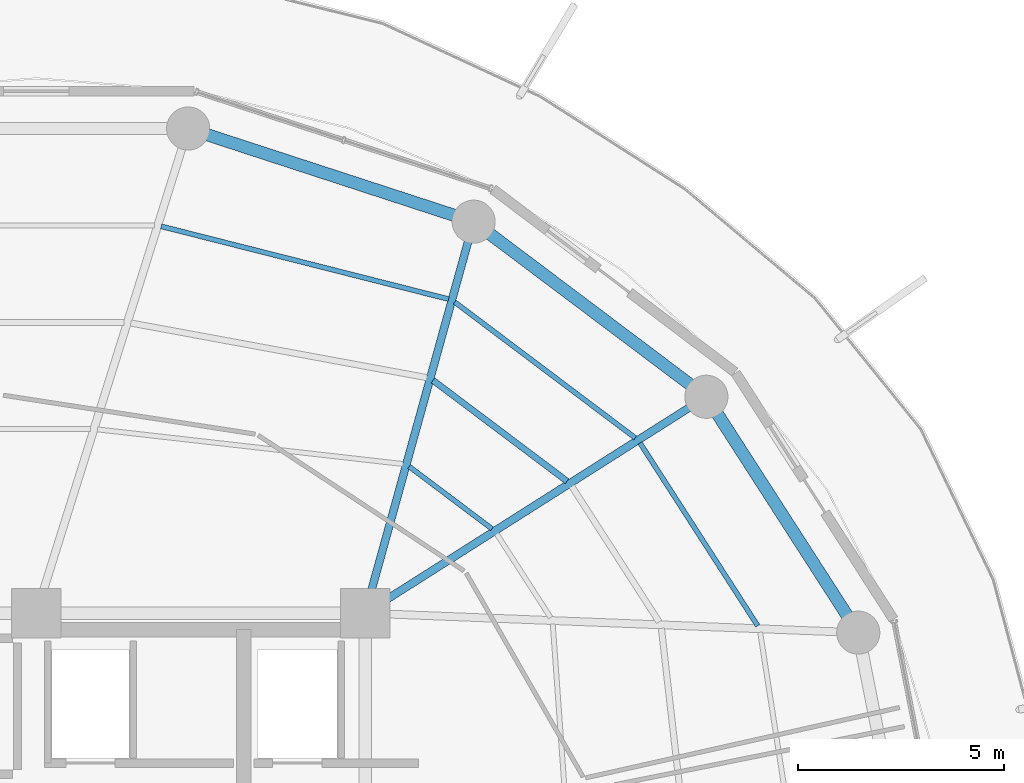
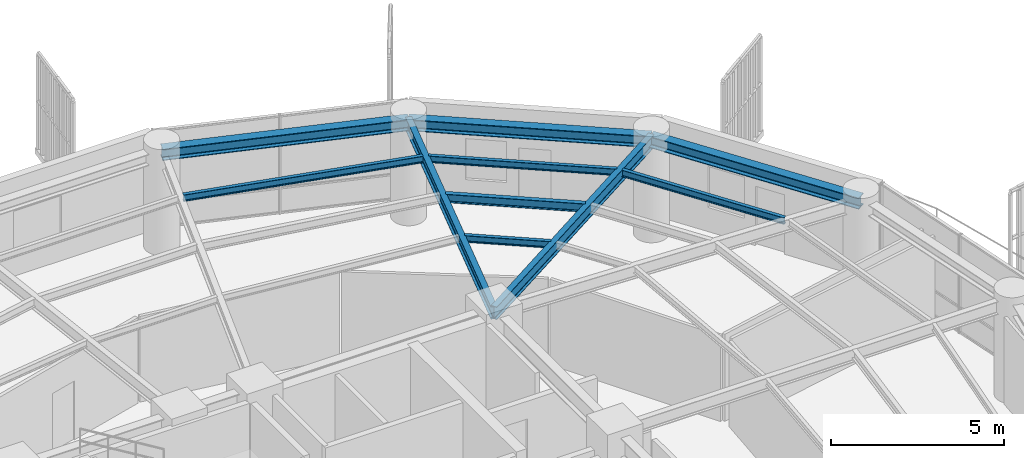
# One storey, part 20 of 30: 10 beams.
"""IFC4 building model written with IfcOpenShell, lengths in metres."""

from ifc_helpers import new_model, si_unit, direction, frame, origin, origin_2d, place, context, subcontext, project, spatial, i_section, extrude, material, material_profile, profile_set, type_object, element, save


model = new_model("IFC4")

# Units and contexts
model_context = context("Model", 3, precision=1e-05, world=origin(), true_north=direction((0.0, 1.0)))
body_context = subcontext(model_context, "Body", "Model", "MODEL_VIEW")
ifc_project = project(units=[si_unit("LENGTHUNIT", "METRE"), si_unit("AREAUNIT", "SQUARE_METRE"), si_unit("VOLUMEUNIT", "CUBIC_METRE"), si_unit("PLANEANGLEUNIT", "RADIAN"), si_unit("MASSUNIT", "GRAM", prefix="KILO")], contexts=[model_context])

# Site, building, storey
site_placement = place(None, origin())
site = spatial("IfcSite", under=ifc_project, at=site_placement, CompositionType="ELEMENT")
building_placement = place(site_placement, origin())
building = spatial("IfcBuilding", under=site, at=building_placement, Name="Kelanora Arch Commons", CompositionType="ELEMENT")
storey_placement = place(building_placement, frame((0.0, 0.0, 204.449951171875)))
storey = spatial("IfcBuildingStorey", under=building, at=storey_placement, Name="L52", CompositionType="ELEMENT", Elevation=204.449951171875)

# Beams
ifc_material = material(Name="Steel S355", Category="steel")
ifc_material_profile_1 = material_profile(ifc_material, i_section(OverallWidth=0.14990234375, OverallDepth=0.300048828125, WebThickness=0.007080078125, FlangeThickness=0.0107421875, FilletRadius=0.014892578125, at=origin_2d()), Name="IPE300")
ifc_profile_set_1 = profile_set([ifc_material_profile_1], Name="Steel S355")
beam_type_1 = type_object("IfcBeamType", Name="BM-JST-01", PredefinedType="JOIST", material=ifc_profile_set_1)
beam_1_placement = place(storey_placement, frame((86.912841796875, 68.209716796875, 3.340087890625), z_axis=(-0.799101708656, 0.601195857624, 0.0), x_axis=(-0.601195857624, -0.799101708656, 0.0)))
element("IfcBeam", 1, at=beam_1_placement, inside=storey, type_object=beam_type_1, Name="Secondary Chord Joist BJB-04 L52", PredefinedType="JOIST", context=body_context, shape_type="SweptSolid", body=[
    extrude(i_section(OverallWidth=0.14990234375, OverallDepth=0.300048828125, WebThickness=0.007080078125, FlangeThickness=0.0107421875, FilletRadius=0.014892578125, at=origin_2d()), origin(), (0.0, 0.0, 1.0), 4.080810546875),
])
ifc_material_profile_2 = material_profile(ifc_material, i_section(OverallWidth=0.1201171875, OverallDepth=0.239990234375, WebThickness=0.006103515625, FlangeThickness=0.009765625, FilletRadius=0.014892578125, at=origin_2d()), Name="IPE240")
ifc_profile_set_2 = profile_set([ifc_material_profile_2], Name="Steel S355")
beam_type_2 = type_object("IfcBeamType", Name="BM-JST-02", PredefinedType="JOIST", material=ifc_profile_set_2)
beam_2_placement = place(storey_placement, frame((91.55126953125, 64.69189453125, 3.3701171875), z_axis=(-0.541382492679, 0.840776424872, 0.0), x_axis=(-0.840776424872, -0.541382492679, 0.0)))
element("IfcBeam", 2, at=beam_2_placement, inside=storey, type_object=beam_type_2, Name="Secondary Chord Joist BJC-02 L52", PredefinedType="JOIST", context=body_context, shape_type="SweptSolid", body=[
    extrude(i_section(OverallWidth=0.1201171875, OverallDepth=0.239990234375, WebThickness=0.006103515625, FlangeThickness=0.009765625, FilletRadius=0.014892578125, at=origin_2d()), origin(), (0.0, 0.0, 1.0), 5.29052734375),
])
beam_3_placement = place(storey_placement, frame((85.086669921875, 67.051513671875, 3.3701171875), z_axis=(-0.79911638933, 0.601176343766, 0.0), x_axis=(-0.601176343766, -0.79911638933, 0.0)))
element("IfcBeam", 3, at=beam_3_placement, inside=storey, type_object=beam_type_2, Name="Secondary Chord Joist BJA-04 L52", PredefinedType="JOIST", context=body_context, shape_type="SweptSolid", body=[
    extrude(i_section(OverallWidth=0.1201171875, OverallDepth=0.239990234375, WebThickness=0.006103515625, FlangeThickness=0.009765625, FilletRadius=0.014892578125, at=origin_2d()), origin(), (0.0, 0.0, 1.0), 2.522216796875),
])
beam_4_placement = place(storey_placement, frame((88.5732421875, 69.2626953125, 3.3701171875), z_axis=(-0.799109197935, 0.601185902842, 0.0), x_axis=(-0.601185902842, -0.799109197935, 0.0)))
element("IfcBeam", 4, at=beam_4_placement, inside=storey, type_object=beam_type_2, Name="Secondary Chord Joist BJC-04 L52", PredefinedType="JOIST", context=body_context, shape_type="SweptSolid", body=[
    extrude(i_section(OverallWidth=0.1201171875, OverallDepth=0.239990234375, WebThickness=0.006103515625, FlangeThickness=0.009765625, FilletRadius=0.014892578125, at=origin_2d()), origin(), (0.0, 0.0, 1.0), 5.497802734375),
])
beam_5_placement = place(storey_placement, frame((84.029541015625, 72.639892578125, 3.3701171875), z_axis=(-0.969370989998, 0.245601066263, 0.0), x_axis=(-0.245601066263, -0.969370989998, 0.0)))
element("IfcBeam", 5, at=beam_5_placement, inside=storey, type_object=beam_type_2, Name="Secondary Chord Joist BJC-06 L52", PredefinedType="JOIST", context=body_context, shape_type="SweptSolid", body=[
    extrude(i_section(OverallWidth=0.1201171875, OverallDepth=0.239990234375, WebThickness=0.006103515625, FlangeThickness=0.009765625, FilletRadius=0.014892578125, at=origin_2d()), origin(), (0.0, 0.0, 1.0), 7.2119140625),
])
ifc_material_profile_3 = material_profile(ifc_material, i_section(OverallWidth=0.18994140625, OverallDepth=0.449951171875, WebThickness=0.009521484375, FlangeThickness=0.0146484375, FilletRadius=0.02099609375, at=origin_2d()), Name="IPE450")
ifc_profile_set_3 = profile_set([ifc_material_profile_3], Name="Steel S355")
beam_type_3 = type_object("IfcBeamType", Name="BM-RAD-Z4", PredefinedType="BEAM", material=ifc_profile_set_3)
beam_6_placement = place(storey_placement, frame((82.0, 65.0, 3.26513671875), z_axis=(0.844507208607, 0.535544185489, 0.0), x_axis=(-0.535544185489, 0.844507208607, 0.0)))
element("IfcBeam", 6, at=beam_6_placement, inside=storey, type_object=beam_type_3, Name="Radial Floor Girder BR-04 L52", PredefinedType="BEAM", context=body_context, shape_type="SweptSolid", body=[
    extrude(i_section(OverallWidth=0.18994140625, OverallDepth=0.449951171875, WebThickness=0.009521484375, FlangeThickness=0.0146484375, FilletRadius=0.02099609375, at=origin_2d()), origin(), (0.0, 0.0, 1.0), 9.830078125),
])
beam_7_placement = place(storey_placement, frame((82.0, 65.0, 3.26513671875), z_axis=(0.267120164296, 0.963663228429, 0.0), x_axis=(-0.963663228429, 0.267120164296, 0.0)))
element("IfcBeam", 7, at=beam_7_placement, inside=storey, type_object=beam_type_3, Name="Radial Floor Girder BR-06 L52", PredefinedType="BEAM", context=body_context, shape_type="SweptSolid", body=[
    extrude(i_section(OverallWidth=0.18994140625, OverallDepth=0.449951171875, WebThickness=0.009521484375, FlangeThickness=0.0146484375, FilletRadius=0.02099609375, at=origin_2d()), origin(), (0.0, 0.0, 1.0), 9.8828125),
])
ifc_material_profile_4 = material_profile(ifc_material, i_section(OverallWidth=0.300048828125, OverallDepth=0.39990234375, WebThickness=0.013427734375, FlangeThickness=0.02392578125, FilletRadius=0.027099609375, at=origin_2d()), Name="HEB400")
ifc_profile_set_4 = profile_set([ifc_material_profile_4], Name="Steel S355")
beam_type_4 = type_object("IfcBeamType", Name="BM-SPN-Z4", PredefinedType="SPANDREL", material=ifc_profile_set_4)
beam_8_placement = place(storey_placement, frame((93.99658203125, 64.525634765625, 3.2900390625), z_axis=(-0.541364878868, 0.840787766281, 0.0), x_axis=(-0.840787766281, -0.541364878868, 0.0)))
element("IfcBeam", 8, at=beam_8_placement, inside=storey, type_object=beam_type_4, Name="Perimeter Spandrel Beam BS-02 L52", PredefinedType="SPANDREL", context=body_context, shape_type="SweptSolid", body=[
    extrude(i_section(OverallWidth=0.300048828125, OverallDepth=0.39990234375, WebThickness=0.013427734375, FlangeThickness=0.02392578125, FilletRadius=0.027099609375, at=origin_2d()), origin(), (0.0, 0.0, 1.0), 6.825439453125),
])
beam_9_placement = place(storey_placement, frame((90.301513671875, 70.264404296875, 3.2900390625), z_axis=(-0.799114211715, 0.60117923836, 0.0), x_axis=(-0.60117923836, -0.799114211715, 0.0)))
element("IfcBeam", 9, at=beam_9_placement, inside=storey, type_object=beam_type_4, Name="Perimeter Spandrel Beam BS-04 L52", PredefinedType="SPANDREL", context=body_context, shape_type="SweptSolid", body=[
    extrude(i_section(OverallWidth=0.300048828125, OverallDepth=0.39990234375, WebThickness=0.013427734375, FlangeThickness=0.02392578125, FilletRadius=0.027099609375, at=origin_2d()), origin(), (0.0, 0.0, 1.0), 7.0849609375),
])
beam_10_placement = place(storey_placement, frame((84.639892578125, 74.523681640625, 3.2900390625), z_axis=(-0.950656361143, 0.310245842872, 0.0), x_axis=(-0.310245842872, -0.950656361143, 0.0)))
element("IfcBeam", 10, at=beam_10_placement, inside=storey, type_object=beam_type_4, Name="Perimeter Spandrel Beam BS-06 L52", PredefinedType="SPANDREL", context=body_context, shape_type="SweptSolid", body=[
    extrude(i_section(OverallWidth=0.300048828125, OverallDepth=0.39990234375, WebThickness=0.013427734375, FlangeThickness=0.02392578125, FilletRadius=0.027099609375, at=origin_2d()), origin(), (0.0, 0.0, 1.0), 7.304931640625),
])

save(model, "model.ifc")
